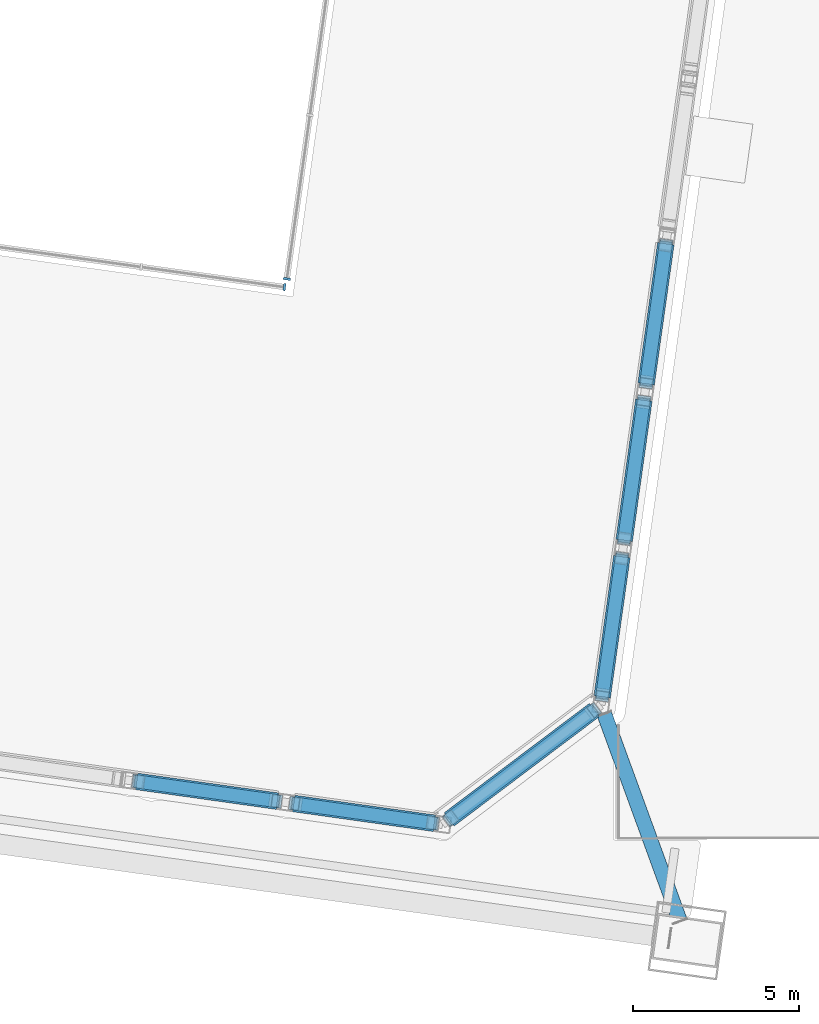
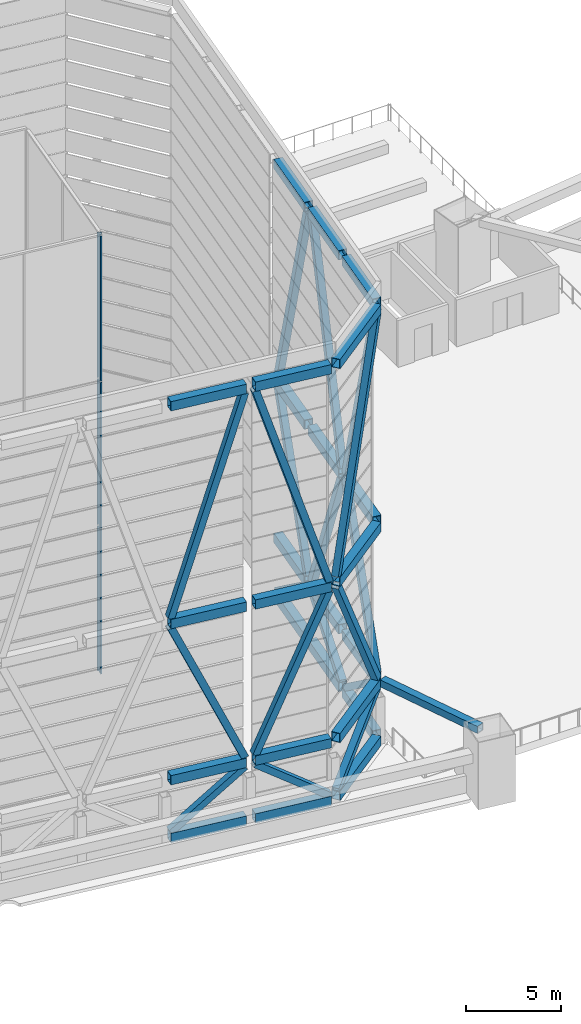
# One storey, part 7 of 45: 25 members, 24 beams, 2 elements without a shape of their own.
"""IFC4 building model written with IfcOpenShell, lengths in metres."""

from ifc_helpers import new_model, si_unit, direction, frame, origin, origin_2d, place, context, subcontext, project, spatial, rectangle, hollow_rectangle, extrude, material, material_profile, profile_set, type_object, element, aggregate, save


model = new_model("IFC4")

# Units and contexts
model_context = context("Model", 3, precision=1e-05, world=origin(), true_north=direction((0.0, 1.0)))
body_context = subcontext(model_context, "Body", "Model", "MODEL_VIEW")
ifc_project = project(units=[si_unit("LENGTHUNIT", "METRE"), si_unit("AREAUNIT", "SQUARE_METRE"), si_unit("VOLUMEUNIT", "CUBIC_METRE"), si_unit("PLANEANGLEUNIT", "RADIAN"), si_unit("MASSUNIT", "GRAM", prefix="KILO")], contexts=[model_context])

# Site, building, storey
site_placement = place(None, origin())
site = spatial("IfcSite", under=ifc_project, at=site_placement, CompositionType="ELEMENT")
building_placement = place(site_placement, origin())
building = spatial("IfcBuilding", under=site, at=building_placement, Name="Mirante Cascada Hotel Towers", CompositionType="ELEMENT")
storey_placement = place(building_placement, frame((0.0, 0.0, 269.8)))
storey = spatial("IfcBuildingStorey", under=building, at=storey_placement, Name="Roof garden", CompositionType="ELEMENT", Elevation=269.8)

# Beams
ifc_material_1 = material(Name="Steel ASTM A572 Gr 50", Category="steel")
ifc_material_profile_1 = material_profile(ifc_material_1, hollow_rectangle(XDim=0.5, YDim=0.6, WallThickness=0.03, at=origin_2d()), Name="Box beam 600x500x30 ASTM A572 Gr 50")
ifc_profile_set_1 = profile_set([ifc_material_profile_1], Name="Steel ASTM A572 Gr 50")
beam_type = type_object("IfcBeamType", Name="Box beam 600x500x30 ASTM A572 Gr 50", PredefinedType="BEAM", material=ifc_profile_set_1)
beam_1_placement = place(storey_placement, frame((-21.2922, -21.7776, 0.3), z_axis=(0.7986365, 0.6018137, 0.0), x_axis=(-0.6018137, 0.7986365, 0.0)))
element("IfcBeam", 1, at=beam_1_placement, inside=storey, type_object=beam_type, Name="CROWN FRAME ring beam T1 1", PredefinedType="BEAM", context=body_context, shape_type="SweptSolid", body=[
    extrude(hollow_rectangle(XDim=0.5, YDim=0.6, WallThickness=0.03, at=origin_2d()), origin(), (0.0, 0.0, 1.0), 5.4912),
])
for number, where, z_axis, x_axis, name in (
    (2, (-16.6723, -18.0749, 0.3), (0.1391888, 0.9902659, 0.0), (-0.9902659, 0.1391888, 0.0), "CROWN FRAME ring beam T1 2"),
    (3, (-16.0083, -13.3501, 0.3), (0.1391888, 0.9902659, 0.0), (-0.9902659, 0.1391888, 0.0), "CROWN FRAME ring beam T1 3"),
):
    element("IfcBeam", number, at=place(storey_placement, frame(where, z_axis=z_axis, x_axis=x_axis)), inside=storey, type_object=beam_type, Name=name, PredefinedType="BEAM", context=body_context, shape_type="SweptSolid", body=[
        extrude(hollow_rectangle(XDim=0.5, YDim=0.6, WallThickness=0.03, at=origin_2d()), origin(), (0.0, 0.0, 1.0), 4.2712),
    ])
beam_2_placement = place(storey_placement, frame((-15.3442, -8.6254, 0.3), z_axis=(0.1391626, 0.9902695, 0.0), x_axis=(-0.9902695, 0.1391626, 0.0)))
element("IfcBeam", 4, at=beam_2_placement, inside=storey, type_object=beam_type, Name="CROWN FRAME ring beam T1 4", PredefinedType="BEAM", context=body_context, shape_type="SweptSolid", body=[
    extrude(hollow_rectangle(XDim=0.5, YDim=0.6, WallThickness=0.03, at=origin_2d()), origin(), (0.0, 0.0, 1.0), 4.2713),
])
for number, where, z_axis, x_axis, name in (
    (5, (-30.7261, -20.6303, 0.3), (0.9902683, -0.1391712, 0.0), (0.1391712, 0.9902683, 0.0), "CROWN FRAME ring beam T1 29"),
    (6, (-25.9852, -21.2966, 0.3), (0.9902683, -0.1391712, 0.0), (0.1391712, 0.9902683, 0.0), "CROWN FRAME ring beam T1 30"),
):
    element("IfcBeam", number, at=place(storey_placement, frame(where, z_axis=z_axis, x_axis=x_axis)), inside=storey, type_object=beam_type, Name=name, PredefinedType="BEAM", context=body_context, shape_type="SweptSolid", body=[
        extrude(hollow_rectangle(XDim=0.5, YDim=0.6, WallThickness=0.03, at=origin_2d()), origin(), (0.0, 0.0, 1.0), 4.2875),
    ])
beam_3_placement = place(storey_placement, frame((-21.2922, -21.7776, 4.0), z_axis=(0.7986365, 0.6018137, 0.0), x_axis=(-0.6018137, 0.7986365, 0.0)))
element("IfcBeam", 7, at=beam_3_placement, inside=storey, type_object=beam_type, Name="CROWN FRAME ring beam T1 31", PredefinedType="BEAM", context=body_context, shape_type="SweptSolid", body=[
    extrude(hollow_rectangle(XDim=0.5, YDim=0.6, WallThickness=0.03, at=origin_2d()), origin(), (0.0, 0.0, 1.0), 5.4912),
])
for number, where, z_axis, x_axis, name in (
    (8, (-16.6723, -18.0749, 4.0), (0.1391888, 0.9902659, 0.0), (-0.9902659, 0.1391888, 0.0), "CROWN FRAME ring beam T1 32"),
    (9, (-16.0083, -13.3501, 4.0), (0.1391888, 0.9902659, 0.0), (-0.9902659, 0.1391888, 0.0), "CROWN FRAME ring beam T1 33"),
):
    element("IfcBeam", number, at=place(storey_placement, frame(where, z_axis=z_axis, x_axis=x_axis)), inside=storey, type_object=beam_type, Name=name, PredefinedType="BEAM", context=body_context, shape_type="SweptSolid", body=[
        extrude(hollow_rectangle(XDim=0.5, YDim=0.6, WallThickness=0.03, at=origin_2d()), origin(), (0.0, 0.0, 1.0), 4.2712),
    ])
beam_4_placement = place(storey_placement, frame((-15.3442, -8.6254, 4.0), z_axis=(0.1391626, 0.9902695, 0.0), x_axis=(-0.9902695, 0.1391626, 0.0)))
element("IfcBeam", 10, at=beam_4_placement, inside=storey, type_object=beam_type, Name="CROWN FRAME ring beam T1 34", PredefinedType="BEAM", context=body_context, shape_type="SweptSolid", body=[
    extrude(hollow_rectangle(XDim=0.5, YDim=0.6, WallThickness=0.03, at=origin_2d()), origin(), (0.0, 0.0, 1.0), 4.2713),
])
for number, where, z_axis, x_axis, name in (
    (11, (-30.7261, -20.6303, 4.0), (0.9902683, -0.1391712, 0.0), (0.1391712, 0.9902683, 0.0), "CROWN FRAME ring beam T1 59"),
    (12, (-25.9852, -21.2966, 4.0), (0.9902683, -0.1391712, 0.0), (0.1391712, 0.9902683, 0.0), "CROWN FRAME ring beam T1 60"),
):
    element("IfcBeam", number, at=place(storey_placement, frame(where, z_axis=z_axis, x_axis=x_axis)), inside=storey, type_object=beam_type, Name=name, PredefinedType="BEAM", context=body_context, shape_type="SweptSolid", body=[
        extrude(hollow_rectangle(XDim=0.5, YDim=0.6, WallThickness=0.03, at=origin_2d()), origin(), (0.0, 0.0, 1.0), 4.2875),
    ])
beam_5_placement = place(storey_placement, frame((-21.2922, -21.7776, 14.0), z_axis=(0.7986365, 0.6018137, 0.0), x_axis=(-0.6018137, 0.7986365, 0.0)))
element("IfcBeam", 13, at=beam_5_placement, inside=storey, type_object=beam_type, Name="CROWN FRAME ring beam T1 61", PredefinedType="BEAM", context=body_context, shape_type="SweptSolid", body=[
    extrude(hollow_rectangle(XDim=0.5, YDim=0.6, WallThickness=0.03, at=origin_2d()), origin(), (0.0, 0.0, 1.0), 5.4912),
])
for number, where, z_axis, x_axis, name in (
    (14, (-16.6723, -18.0749, 14.0), (0.1391888, 0.9902659, 0.0), (-0.9902659, 0.1391888, 0.0), "CROWN FRAME ring beam T1 62"),
    (15, (-16.0083, -13.3501, 14.0), (0.1391888, 0.9902659, 0.0), (-0.9902659, 0.1391888, 0.0), "CROWN FRAME ring beam T1 63"),
):
    element("IfcBeam", number, at=place(storey_placement, frame(where, z_axis=z_axis, x_axis=x_axis)), inside=storey, type_object=beam_type, Name=name, PredefinedType="BEAM", context=body_context, shape_type="SweptSolid", body=[
        extrude(hollow_rectangle(XDim=0.5, YDim=0.6, WallThickness=0.03, at=origin_2d()), origin(), (0.0, 0.0, 1.0), 4.2712),
    ])
beam_6_placement = place(storey_placement, frame((-15.3442, -8.6254, 14.0), z_axis=(0.1391626, 0.9902695, 0.0), x_axis=(-0.9902695, 0.1391626, 0.0)))
element("IfcBeam", 16, at=beam_6_placement, inside=storey, type_object=beam_type, Name="CROWN FRAME ring beam T1 64", PredefinedType="BEAM", context=body_context, shape_type="SweptSolid", body=[
    extrude(hollow_rectangle(XDim=0.5, YDim=0.6, WallThickness=0.03, at=origin_2d()), origin(), (0.0, 0.0, 1.0), 4.2713),
])
for number, where, z_axis, x_axis, name in (
    (17, (-30.7261, -20.6303, 14.0), (0.9902683, -0.1391712, 0.0), (0.1391712, 0.9902683, 0.0), "CROWN FRAME ring beam T1 89"),
    (18, (-25.9852, -21.2966, 14.0), (0.9902683, -0.1391712, 0.0), (0.1391712, 0.9902683, 0.0), "CROWN FRAME ring beam T1 90"),
):
    element("IfcBeam", number, at=place(storey_placement, frame(where, z_axis=z_axis, x_axis=x_axis)), inside=storey, type_object=beam_type, Name=name, PredefinedType="BEAM", context=body_context, shape_type="SweptSolid", body=[
        extrude(hollow_rectangle(XDim=0.5, YDim=0.6, WallThickness=0.03, at=origin_2d()), origin(), (0.0, 0.0, 1.0), 4.2875),
    ])
beam_7_placement = place(storey_placement, frame((-21.2922, -21.7776, 27.95), z_axis=(0.7986365, 0.6018137, 0.0), x_axis=(-0.6018137, 0.7986365, 0.0)))
element("IfcBeam", 19, at=beam_7_placement, inside=storey, type_object=beam_type, Name="CROWN FRAME ring beam T1 91", PredefinedType="BEAM", context=body_context, shape_type="SweptSolid", body=[
    extrude(hollow_rectangle(XDim=0.5, YDim=0.6, WallThickness=0.03, at=origin_2d()), origin(), (0.0, 0.0, 1.0), 5.4912),
])
for number, where, z_axis, x_axis, name in (
    (20, (-16.6723, -18.0749, 27.95), (0.1391888, 0.9902659, 0.0), (-0.9902659, 0.1391888, 0.0), "CROWN FRAME ring beam T1 92"),
    (21, (-16.0083, -13.3501, 27.95), (0.1391888, 0.9902659, 0.0), (-0.9902659, 0.1391888, 0.0), "CROWN FRAME ring beam T1 93"),
):
    element("IfcBeam", number, at=place(storey_placement, frame(where, z_axis=z_axis, x_axis=x_axis)), inside=storey, type_object=beam_type, Name=name, PredefinedType="BEAM", context=body_context, shape_type="SweptSolid", body=[
        extrude(hollow_rectangle(XDim=0.5, YDim=0.6, WallThickness=0.03, at=origin_2d()), origin(), (0.0, 0.0, 1.0), 4.2712),
    ])
beam_8_placement = place(storey_placement, frame((-15.3442, -8.6254, 27.95), z_axis=(0.1391626, 0.9902695, 0.0), x_axis=(-0.9902695, 0.1391626, 0.0)))
element("IfcBeam", 22, at=beam_8_placement, inside=storey, type_object=beam_type, Name="CROWN FRAME ring beam T1 94", PredefinedType="BEAM", context=body_context, shape_type="SweptSolid", body=[
    extrude(hollow_rectangle(XDim=0.5, YDim=0.6, WallThickness=0.03, at=origin_2d()), origin(), (0.0, 0.0, 1.0), 4.2713),
])
for number, where, z_axis, x_axis, name in (
    (23, (-30.7261, -20.6303, 27.95), (0.9902683, -0.1391712, 0.0), (0.1391712, 0.9902683, 0.0), "CROWN FRAME ring beam T1 119"),
    (24, (-25.9852, -21.2966, 27.95), (0.9902683, -0.1391712, 0.0), (0.1391712, 0.9902683, 0.0), "CROWN FRAME ring beam T1 120"),
):
    element("IfcBeam", number, at=place(storey_placement, frame(where, z_axis=z_axis, x_axis=x_axis)), inside=storey, type_object=beam_type, Name=name, PredefinedType="BEAM", context=body_context, shape_type="SweptSolid", body=[
        extrude(hollow_rectangle(XDim=0.5, YDim=0.6, WallThickness=0.03, at=origin_2d()), origin(), (0.0, 0.0, 1.0), 4.2875),
    ])

# Members
ifc_material_2 = material(Name="Steel ASTM A572 Gr 50", Category="steel")
ifc_material_profile_2 = material_profile(ifc_material_2, hollow_rectangle(XDim=0.4, YDim=0.4, WallThickness=0.025, at=origin_2d()), Name="Box brace 400x400x25 ASTM A572 Gr 50")
ifc_profile_set_2 = profile_set([ifc_material_profile_2], Name="Steel ASTM A572 Gr 50")
member_type_1 = type_object("IfcMemberType", Name="Box brace 400x400x25 ASTM A572 Gr 50", PredefinedType="BRACE", material=ifc_profile_set_2)
member_1_placement = place(storey_placement, frame((-21.2522, -21.7475, 0.6), z_axis=(0.6923304, 0.5217202, 0.4984843), x_axis=(-0.6018237, 0.798629, 0.0)))
element("IfcMember", 25, at=member_1_placement, inside=storey, type_object=member_type_1, Name="Hat truss diagonal T1 1", PredefinedType="BRACE", context=body_context, shape_type="SweptSolid", body=[
    extrude(hollow_rectangle(XDim=0.4, YDim=0.4, WallThickness=0.025, at=origin_2d()), origin(), (0.0, 0.0, 1.0), 6.2189),
])
for number, where, z_axis, x_axis, name in (
    (26, (-16.0848, -13.8948, 0.6), (-0.111699, -0.7948043, 0.5964977), (0.9902687, -0.1391689, 0.0), "Hat truss diagonal T1 2"),
    (27, (-16.0013, -13.3006, 0.6), (0.111699, 0.7948043, 0.5964977), (-0.9902687, 0.1391689, 0.0), "Hat truss diagonal T1 3"),
):
    element("IfcMember", number, at=place(storey_placement, frame(where, z_axis=z_axis, x_axis=x_axis)), inside=storey, type_object=member_type_1, Name=name, PredefinedType="BRACE", context=body_context, shape_type="SweptSolid", body=[
        extrude(hollow_rectangle(XDim=0.4, YDim=0.4, WallThickness=0.025, at=origin_2d()), origin(), (0.0, 0.0, 1.0), 5.197),
    ])
member_2_placement = place(storey_placement, frame((-14.7568, -4.4452, 0.6), z_axis=(-0.1116973, -0.7948114, 0.5964886), x_axis=(0.9902691, -0.1391656, 0.0)))
element("IfcMember", 28, at=member_2_placement, inside=storey, type_object=member_type_1, Name="Hat truss diagonal T1 4", PredefinedType="BRACE", context=body_context, shape_type="SweptSolid", body=[
    extrude(hollow_rectangle(XDim=0.4, YDim=0.4, WallThickness=0.025, at=origin_2d()), origin(), (0.0, 0.0, 1.0), 5.1971),
])
for number, where, z_axis, x_axis, name in (
    (29, (-30.6765, -20.6372, 0.6), (0.7959018, -0.1118604, 0.5950022), (0.1391776, 0.9902674, 0.0), "Hat truss diagonal T1 29"),
    (30, (-21.7889, -21.8863, 0.6), (-0.7959018, 0.1118604, 0.5950022), (-0.1391776, -0.9902674, 0.0), "Hat truss diagonal T1 30"),
):
    element("IfcMember", number, at=place(storey_placement, frame(where, z_axis=z_axis, x_axis=x_axis)), inside=storey, type_object=member_type_1, Name=name, PredefinedType="BRACE", context=body_context, shape_type="SweptSolid", body=[
        extrude(hollow_rectangle(XDim=0.4, YDim=0.4, WallThickness=0.025, at=origin_2d()), origin(), (0.0, 0.0, 1.0), 5.2101),
    ])
member_3_placement = place(storey_placement, frame((-16.9467, -18.503, 4.3), z_axis=(-0.3973241, -0.299412, 0.8674595), x_axis=(0.6018237, -0.798629, 0.0)))
element("IfcMember", 31, at=member_3_placement, inside=storey, type_object=member_type_1, Name="CROWN FRAME brace T1 31", PredefinedType="BRACE", context=body_context, shape_type="SweptSolid", body=[
    extrude(hollow_rectangle(XDim=0.4, YDim=0.4, WallThickness=0.025, at=origin_2d()), origin(), (0.0, 0.0, 1.0), 10.8362),
])
for number, where, z_axis, x_axis, name in (
    (32, (-16.6653, -18.0254, 4.3), (0.0564474, 0.4016565, 0.9140491), (-0.9902687, 0.1391689, 0.0), "CROWN FRAME brace T1 32"),
    (33, (-15.4208, -9.17, 4.3), (-0.0564474, -0.4016565, 0.9140491), (0.9902687, -0.1391689, 0.0), "CROWN FRAME brace T1 33"),
):
    element("IfcMember", number, at=place(storey_placement, frame(where, z_axis=z_axis, x_axis=x_axis)), inside=storey, type_object=member_type_1, Name=name, PredefinedType="BRACE", context=body_context, shape_type="SweptSolid", body=[
        extrude(hollow_rectangle(XDim=0.4, YDim=0.4, WallThickness=0.025, at=origin_2d()), origin(), (0.0, 0.0, 1.0), 10.2839),
    ])
member_4_placement = place(storey_placement, frame((-15.3373, -8.5759, 4.3), z_axis=(0.0564472, 0.4016647, 0.9140455), x_axis=(-0.9902691, 0.1391656, 0.0)))
element("IfcMember", 34, at=member_4_placement, inside=storey, type_object=member_type_1, Name="CROWN FRAME brace T1 34", PredefinedType="BRACE", context=body_context, shape_type="SweptSolid", body=[
    extrude(hollow_rectangle(XDim=0.4, YDim=0.4, WallThickness=0.025, at=origin_2d()), origin(), (0.0, 0.0, 1.0), 10.284),
])
for number, where, z_axis, x_axis, name in (
    (35, (-26.5298, -21.22, 4.3), (-0.4029632, 0.0566347, 0.9134622), (-0.1391776, -0.9902674, 0.0), "CROWN FRAME brace T1 59"),
    (36, (-25.9356, -21.3035, 4.3), (0.4029632, -0.0566347, 0.9134622), (0.1391776, 0.9902674, 0.0), "CROWN FRAME brace T1 60"),
):
    element("IfcMember", number, at=place(storey_placement, frame(where, z_axis=z_axis, x_axis=x_axis)), inside=storey, type_object=member_type_1, Name=name, PredefinedType="BRACE", context=body_context, shape_type="SweptSolid", body=[
        extrude(hollow_rectangle(XDim=0.4, YDim=0.4, WallThickness=0.025, at=origin_2d()), origin(), (0.0, 0.0, 1.0), 10.2905),
    ])
member_5_placement = place(storey_placement, frame((-21.2522, -21.7475, 14.3), z_axis=(0.299046, 0.2253524, 0.9272474), x_axis=(-0.6018237, 0.798629, 0.0)))
element("IfcMember", 37, at=member_5_placement, inside=storey, type_object=member_type_1, Name="CROWN FRAME brace T1 61", PredefinedType="BRACE", context=body_context, shape_type="SweptSolid", body=[
    extrude(hollow_rectangle(XDim=0.4, YDim=0.4, WallThickness=0.025, at=origin_2d()), origin(), (0.0, 0.0, 1.0), 14.3975),
])
for number, where, z_axis, x_axis, name in (
    (38, (-16.0848, -13.8948, 14.3), (-0.0415044, -0.2953283, 0.9544939), (0.9902687, -0.1391689, 0.0), "CROWN FRAME brace T1 62"),
    (39, (-16.0013, -13.3006, 14.3), (0.0415044, 0.2953283, 0.9544939), (-0.9902687, 0.1391689, 0.0), "CROWN FRAME brace T1 63"),
    (40, (-14.7568, -4.4452, 14.3), (-0.0415043, -0.2953348, 0.9544919), (0.9902691, -0.1391656, 0.0), "CROWN FRAME brace T1 64"),
):
    element("IfcMember", number, at=place(storey_placement, frame(where, z_axis=z_axis, x_axis=x_axis)), inside=storey, type_object=member_type_1, Name=name, PredefinedType="BRACE", context=body_context, shape_type="SweptSolid", body=[
        extrude(hollow_rectangle(XDim=0.4, YDim=0.4, WallThickness=0.025, at=origin_2d()), origin(), (0.0, 0.0, 1.0), 13.9865),
    ])
for number, where, z_axis, x_axis, name in (
    (41, (-30.6765, -20.6372, 14.3), (0.2963764, -0.0416544, 0.9541624), (0.1391776, 0.9902674, 0.0), "CROWN FRAME brace T1 89"),
    (42, (-21.7889, -21.8863, 14.3), (-0.2963764, 0.0416544, 0.9541624), (-0.1391776, -0.9902674, 0.0), "CROWN FRAME brace T1 90"),
):
    element("IfcMember", number, at=place(storey_placement, frame(where, z_axis=z_axis, x_axis=x_axis)), inside=storey, type_object=member_type_1, Name=name, PredefinedType="BRACE", context=body_context, shape_type="SweptSolid", body=[
        extrude(hollow_rectangle(XDim=0.4, YDim=0.4, WallThickness=0.025, at=origin_2d()), origin(), (0.0, 0.0, 1.0), 13.9913),
    ])
ifc_material_3 = material(Name="Steel ASTM A572 Gr 50", Category="steel")
ifc_material_profile_3 = material_profile(ifc_material_3, hollow_rectangle(XDim=0.45, YDim=0.45, WallThickness=0.03, at=origin_2d()), Name="Box tie 450x450x30 ASTM A572 Gr 50")
ifc_profile_set_3 = profile_set([ifc_material_profile_3], Name="Steel ASTM A572 Gr 50")
member_type_2 = type_object("IfcMemberType", Name="Box tie 450x450x30 ASTM A572 Gr 50", PredefinedType="STRUT", material=ifc_profile_set_3)
member_6_placement = place(storey_placement, frame((-14.3214, -24.8545, 4.0), z_axis=(-0.3430655, 0.9393115, 0.0), x_axis=(-0.9393115, -0.3430655, 0.0)))
element("IfcMember", 43, at=member_6_placement, inside=storey, type_object=member_type_2, Name="CROWN FRAME tie T1 2", PredefinedType="STRUT", context=body_context, shape_type="SweptSolid", body=[
    extrude(hollow_rectangle(XDim=0.45, YDim=0.45, WallThickness=0.03, at=origin_2d()), origin(), (0.0, 0.0, 1.0), 6.6707),
])

# Curtain wall, members
ifc_material_4 = material(Name="Aluminium mullion and transom frame with clear laminated glass", Category="aluminium")
curtain_wall_type = type_object("IfcCurtainWallType", Name="Atrium rooflight wall ECW6", PredefinedType="NOTDEFINED", material=ifc_material_4)
curtain_wall_1_placement = place(storey_placement, origin())
curtain_wall_1 = element("IfcCurtainWall", 44, at=curtain_wall_1_placement, inside=storey, type_object=curtain_wall_type, Name="Atrium rooflight wall T1 long rear", PredefinedType="NOTDEFINED")
ifc_material_5 = material(Name="Anodised aluminium extrusion", Category="aluminium")
ifc_material_profile_4 = material_profile(ifc_material_5, rectangle(XDim=0.22, YDim=0.07, at=origin_2d()), Name="ECW6 MULLION 70x220")
ifc_profile_set_4 = profile_set([ifc_material_profile_4], Name="Anodised aluminium extrusion")
member_type_3 = type_object("IfcMemberType", Name="ECW6 mullion 70x220", PredefinedType="MULLION", material=ifc_profile_set_4)
member_7_placement = place(storey_placement, frame((-26.2644, -5.706, 0.1), z_axis=(0.0, 0.0, 1.0), x_axis=(-0.1391731, -0.9902681, 0.0)))
member_7 = element("IfcMember", 45, at=member_7_placement, type_object=member_type_3, Name="ECW6 mullion 1", PredefinedType="MULLION", context=body_context, shape_type="SweptSolid", body=[
    extrude(rectangle(XDim=0.22, YDim=0.07, at=origin_2d()), origin(), (0.0, 0.0, 1.0), 9.2667),
])
member_8_placement = place(storey_placement, frame((-26.2644, -5.706, 9.4667), z_axis=(0.0, 0.0, 1.0), x_axis=(-0.1391731, -0.9902681, 0.0)))
member_8 = element("IfcMember", 46, at=member_8_placement, type_object=member_type_3, Name="ECW6 mullion 1", PredefinedType="MULLION", context=body_context, shape_type="SweptSolid", body=[
    extrude(rectangle(XDim=0.22, YDim=0.07, at=origin_2d()), origin(), (0.0, 0.0, 1.0), 9.3166),
])
member_9_placement = place(storey_placement, frame((-26.2644, -5.706, 18.8833), z_axis=(0.0, 0.0, 1.0), x_axis=(-0.1391731, -0.9902681, 0.0)))
member_9 = element("IfcMember", 47, at=member_9_placement, type_object=member_type_3, Name="ECW6 mullion 1", PredefinedType="MULLION", context=body_context, shape_type="SweptSolid", body=[
    extrude(rectangle(XDim=0.22, YDim=0.07, at=origin_2d()), origin(), (0.0, 0.0, 1.0), 9.2667),
])
aggregate(curtain_wall_1, [member_7, member_8, member_9])

curtain_wall_2_placement = place(storey_placement, origin())
curtain_wall_2 = element("IfcCurtainWall", 48, at=curtain_wall_2_placement, inside=storey, type_object=curtain_wall_type, Name="Atrium rooflight wall T1 inner", PredefinedType="NOTDEFINED")
member_10_placement = place(storey_placement, frame((-26.1943, -5.4583, 0.1), z_axis=(0.0, 0.0, 1.0), x_axis=(0.9902681, -0.1391731, 0.0)))
member_10 = element("IfcMember", 49, at=member_10_placement, type_object=member_type_3, Name="ECW6 mullion 3", PredefinedType="MULLION", context=body_context, shape_type="SweptSolid", body=[
    extrude(rectangle(XDim=0.22, YDim=0.07, at=origin_2d()), origin(), (0.0, 0.0, 1.0), 9.2667),
])
member_11_placement = place(storey_placement, frame((-26.1943, -5.4583, 9.4667), z_axis=(0.0, 0.0, 1.0), x_axis=(0.9902681, -0.1391731, 0.0)))
member_11 = element("IfcMember", 50, at=member_11_placement, type_object=member_type_3, Name="ECW6 mullion 3", PredefinedType="MULLION", context=body_context, shape_type="SweptSolid", body=[
    extrude(rectangle(XDim=0.22, YDim=0.07, at=origin_2d()), origin(), (0.0, 0.0, 1.0), 9.3166),
])
member_12_placement = place(storey_placement, frame((-26.1943, -5.4583, 18.8833), z_axis=(0.0, 0.0, 1.0), x_axis=(0.9902681, -0.1391731, 0.0)))
member_12 = element("IfcMember", 51, at=member_12_placement, type_object=member_type_3, Name="ECW6 mullion 3", PredefinedType="MULLION", context=body_context, shape_type="SweptSolid", body=[
    extrude(rectangle(XDim=0.22, YDim=0.07, at=origin_2d()), origin(), (0.0, 0.0, 1.0), 9.2667),
])
aggregate(curtain_wall_2, [member_10, member_11, member_12])

save(model, "model.ifc")
